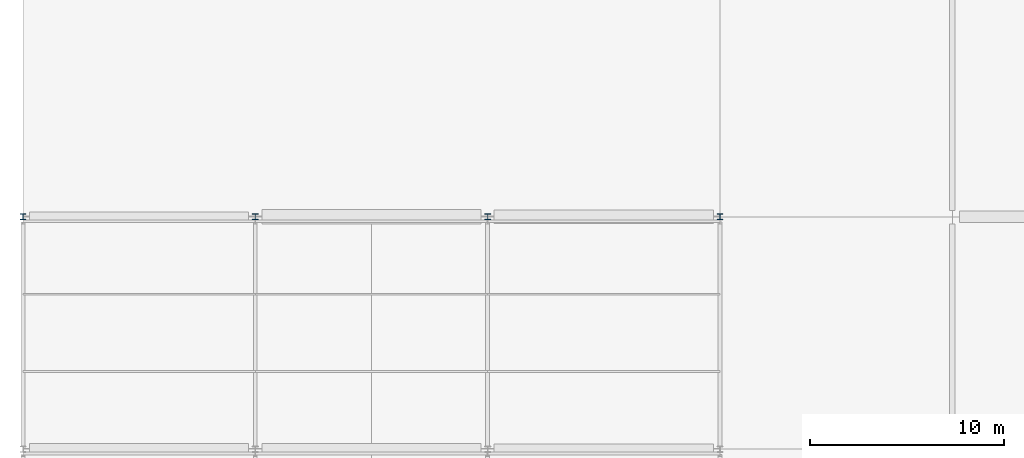
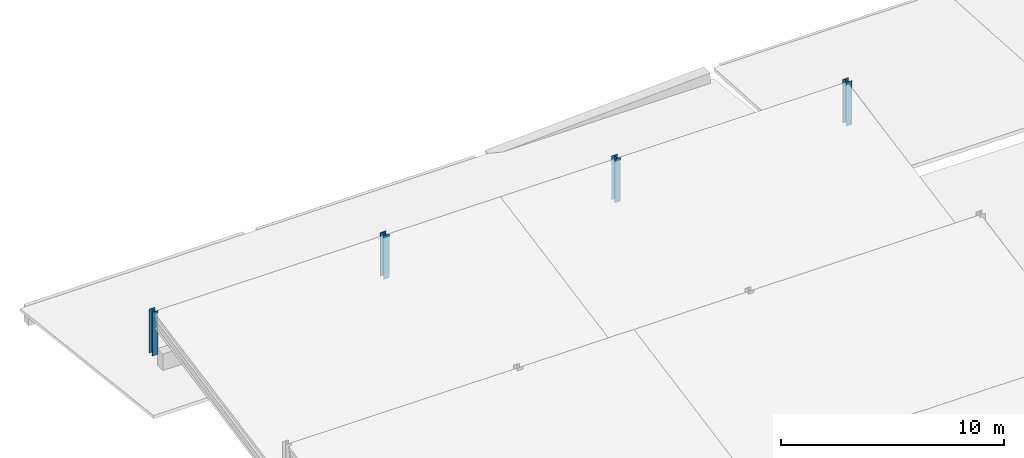
# One storey, part 6 of 23: 4 columns.
"""IFC4 building model written with IfcOpenShell, lengths in metres."""

from ifc_helpers import new_model, si_unit, direction, frame, origin, origin_2d, place, context, subcontext, project, spatial, i_section, extrude, material, material_profile, profile_set, type_object, element, save


model = new_model("IFC4")

# Units and contexts
model_context = context("Model", 3, precision=1e-05, world=origin(), true_north=direction((0.0, 1.0)))
body_context = subcontext(model_context, "Body", "Model", "MODEL_VIEW")
ifc_project = project(units=[si_unit("LENGTHUNIT", "METRE"), si_unit("AREAUNIT", "SQUARE_METRE"), si_unit("VOLUMEUNIT", "CUBIC_METRE"), si_unit("PLANEANGLEUNIT", "RADIAN"), si_unit("MASSUNIT", "GRAM", prefix="KILO")], contexts=[model_context])

# Site, building, storey
site_placement = place(None, origin())
site = spatial("IfcSite", under=ifc_project, at=site_placement, CompositionType="ELEMENT")
building_placement = place(site_placement, origin())
building = spatial("IfcBuilding", under=site, at=building_placement, Name="Kamomehara Wholesale Market", CompositionType="ELEMENT")
storey_placement = place(building_placement, frame((0.0, 0.0, 21.0)))
storey = spatial("IfcBuildingStorey", under=building, at=storey_placement, Name="RF", CompositionType="ELEMENT", Elevation=21.0)

# Columns
ifc_material_1 = material(Name="Steel SN490B", Category="steel")
ifc_material_profile_1 = material_profile(ifc_material_1, i_section(OverallWidth=0.300048828125, OverallDepth=0.300048828125, WebThickness=0.010009765625, FlangeThickness=0.014892578125, FilletRadius=0.012939453125, at=origin_2d()), Name="H-300x300x10x15")
ifc_profile_set_1 = profile_set([ifc_material_profile_1], Name="Steel SN490B")
column_type_1 = type_object("IfcColumnType", Name="COL-ST-H300", PredefinedType="COLUMN", material=ifc_profile_set_1)
for number, where, z_axis, x_axis, name in (
    (1, (12.0, 144.0, -4.800048828125), (0.0, 0.0, 1.0), (1.0, 0.0, 0.0), "Column CS-03 RF"),
    (2, (24.0, 144.0, -4.800048828125), (0.0, 0.0, 1.0), (1.0, 0.0, 0.0), "Column CS-03 RF"),
):
    element("IfcColumn", number, at=place(storey_placement, frame(where, z_axis=z_axis, x_axis=x_axis)), inside=storey, type_object=column_type_1, Name=name, PredefinedType="COLUMN", context=body_context, shape_type="SweptSolid", body=[
        extrude(i_section(OverallWidth=0.300048828125, OverallDepth=0.300048828125, WebThickness=0.010009765625, FlangeThickness=0.014892578125, FilletRadius=0.012939453125, at=origin_2d()), origin(), (0.0, 0.0, 1.0), 2.400146484375),
    ])
ifc_material_2 = material(Name="Steel SN490B", Category="steel")
ifc_material_profile_2 = material_profile(ifc_material_2, i_section(OverallWidth=0.300048828125, OverallDepth=0.300048828125, WebThickness=0.010009765625, FlangeThickness=0.014892578125, FilletRadius=0.012939453125, at=origin_2d()), Name="H-300x300x10x15")
ifc_profile_set_2 = profile_set([ifc_material_profile_2], Name="Steel SN490B")
column_type_2 = type_object("IfcColumnType", Name="COL-ST-H300-EXT", PredefinedType="COLUMN", material=ifc_profile_set_2)
for number, where, z_axis, x_axis, name in (
    (3, (0.0, 144.0, -4.800048828125), (0.0, 0.0, 1.0), (1.0, 0.0, 0.0), "Column CS-03E RF"),
    (4, (36.0, 144.0, -4.800048828125), (0.0, 0.0, 1.0), (1.0, 0.0, 0.0), "Column CS-03E RF"),
):
    element("IfcColumn", number, at=place(storey_placement, frame(where, z_axis=z_axis, x_axis=x_axis)), inside=storey, type_object=column_type_2, Name=name, PredefinedType="COLUMN", context=body_context, shape_type="SweptSolid", body=[
        extrude(i_section(OverallWidth=0.300048828125, OverallDepth=0.300048828125, WebThickness=0.010009765625, FlangeThickness=0.014892578125, FilletRadius=0.012939453125, at=origin_2d()), origin(), (0.0, 0.0, 1.0), 2.400146484375),
    ])

save(model, "model.ifc")
